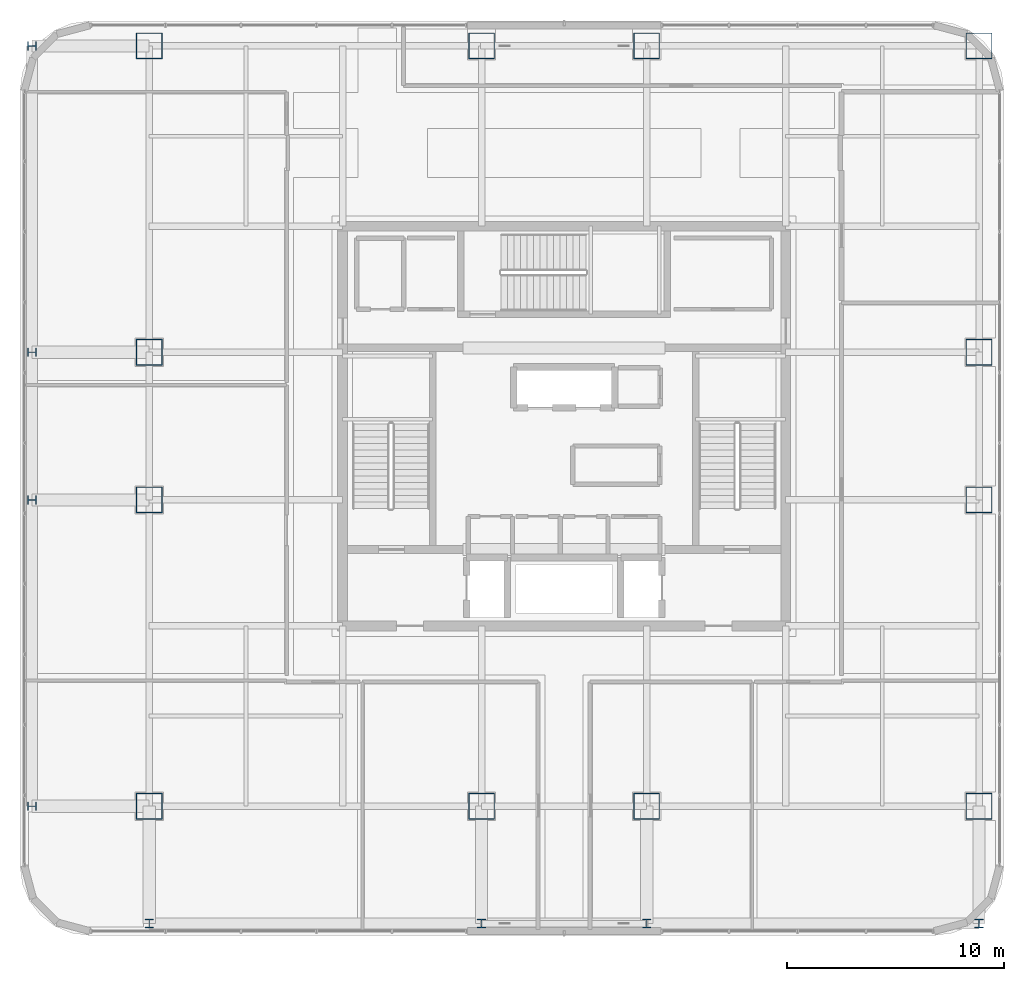
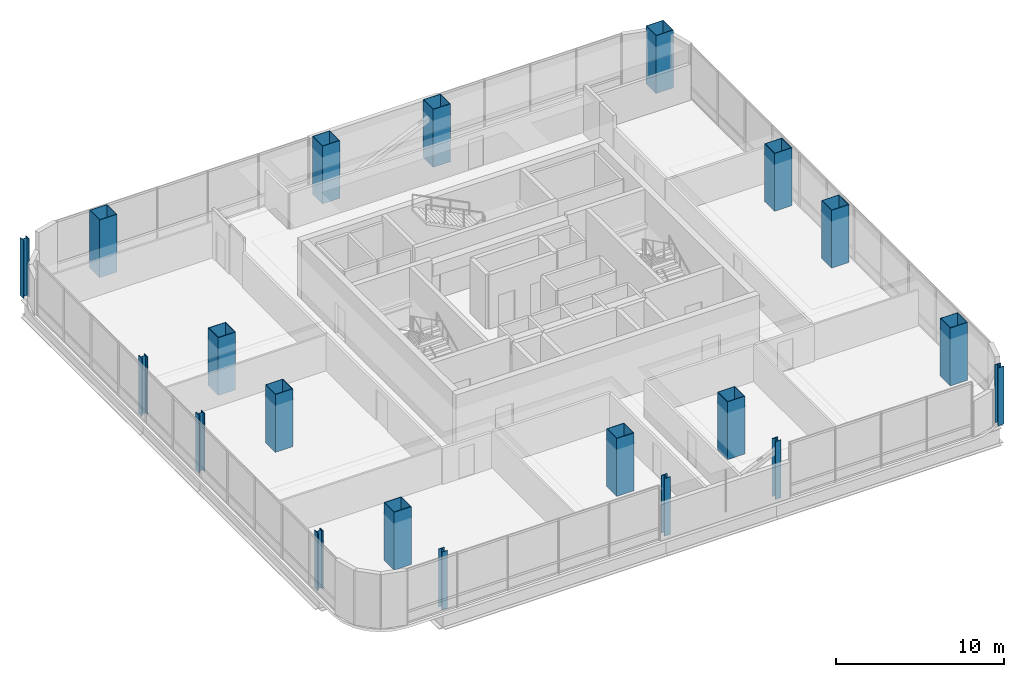
# One storey, part 1 of 46: 20 columns.
"""IFC4 building model written with IfcOpenShell, lengths in metres."""

from ifc_helpers import new_model, si_unit, direction, frame, origin, origin_2d, place, context, subcontext, project, spatial, hollow_rectangle, i_section, extrude, material, material_profile, profile_set, type_object, element, save


model = new_model("IFC4")

# Units and contexts
model_context = context("Model", 3, precision=1e-05, world=origin(), true_north=direction((0.0, 1.0)))
body_context = subcontext(model_context, "Body", "Model", "MODEL_VIEW")
ifc_project = project(units=[si_unit("LENGTHUNIT", "METRE"), si_unit("AREAUNIT", "SQUARE_METRE"), si_unit("VOLUMEUNIT", "CUBIC_METRE"), si_unit("PLANEANGLEUNIT", "RADIAN"), si_unit("MASSUNIT", "GRAM", prefix="KILO")], contexts=[model_context])

# Site, building, storey
site_placement = place(None, origin())
site = spatial("IfcSite", under=ifc_project, at=site_placement, CompositionType="ELEMENT")
building_placement = place(site_placement, origin())
building = spatial("IfcBuilding", under=site, at=building_placement, Name="Punatoya Terracotta Tower", CompositionType="ELEMENT")
storey_placement = place(building_placement, frame((0.0, 0.0, 330.0)))
storey = spatial("IfcBuildingStorey", under=building, at=storey_placement, Name="L78", CompositionType="ELEMENT", Elevation=330.0)

# Columns
ifc_material = material(Name="Steel S460", Category="steel")
ifc_material_profile_1 = material_profile(ifc_material, i_section(OverallWidth=0.406005859375, OverallDepth=0.416015625, WebThickness=0.029052734375, FlangeThickness=0.048095703125, FilletRadius=0.01806640625, at=origin_2d()))
ifc_profile_set_1 = profile_set([ifc_material_profile_1], Name="Steel S460")
column_type_1 = type_object("IfcColumnType", Name="COL-EX-M3", PredefinedType="COLUMN", material=ifc_profile_set_1)
for number, where, z_axis, x_axis, name in (
    (1, (-19.10009765625, -22.89990234375, 0.0), (0.0, 0.0, 1.0), (1.0, 0.0, 0.0), "L78 Exoskeleton Perimeter Column S1"),
    (2, (-3.800048828125, -22.89990234375, 0.0), (0.0, 0.0, 1.0), (1.0, 0.0, 0.0), "L78 Exoskeleton Perimeter Column S2"),
    (3, (3.800048828125, -22.89990234375, 0.0), (0.0, 0.0, 1.0), (1.0, 0.0, 0.0), "L78 Exoskeleton Perimeter Column S3"),
    (4, (19.10009765625, -22.89990234375, 0.0), (0.0, 0.0, 1.0), (1.0, 0.0, 0.0), "L78 Exoskeleton Perimeter Column S4"),
    (5, (-24.5, -17.5, 0.0), (0.0, 0.0, 1.0), (0.0, 1.0, 0.0), "L78 Exoskeleton Perimeter Column W1"),
    (6, (-24.5, -3.39990234375, 0.0), (0.0, 0.0, 1.0), (0.0, 1.0, 0.0), "L78 Exoskeleton Perimeter Column W2"),
    (7, (-24.5, 3.39990234375, 0.0), (0.0, 0.0, 1.0), (0.0, 1.0, 0.0), "L78 Exoskeleton Perimeter Column W3"),
    (8, (-24.5, 17.5, 0.0), (0.0, 0.0, 1.0), (0.0, 1.0, 0.0), "L78 Exoskeleton Perimeter Column W4"),
):
    element("IfcColumn", number, at=place(storey_placement, frame(where, z_axis=z_axis, x_axis=x_axis)), inside=storey, type_object=column_type_1, Name=name, PredefinedType="COLUMN", context=body_context, shape_type="SweptSolid", body=[
        extrude(i_section(OverallWidth=0.406005859375, OverallDepth=0.416015625, WebThickness=0.029052734375, FlangeThickness=0.048095703125, FilletRadius=0.01806640625, at=origin_2d()), origin(), (0.0, 0.0, 1.0), 4.197998046875),
    ])
ifc_material_profile_2 = material_profile(ifc_material, hollow_rectangle(XDim=1.199951171875, YDim=1.199951171875, WallThickness=0.034912109375, at=origin_2d()))
ifc_profile_set_2 = profile_set([ifc_material_profile_2], Name="Steel S460")
column_type_2 = type_object("IfcColumnType", Name="COL-MC-Z4", PredefinedType="COLUMN", material=ifc_profile_set_2)
for number, where, z_axis, x_axis, name in (
    (9, (-19.10009765625, -17.5, 0.0), (0.0, 0.0, 1.0), (1.0, 0.0, 0.0), "L78 Composite Mega-Column MC-01 (3-B)"),
    (10, (-3.800048828125, -17.5, 0.0), (0.0, 0.0, 1.0), (1.0, 0.0, 0.0), "L78 Composite Mega-Column MC-02 (5-B)"),
    (11, (3.800048828125, -17.5, 0.0), (0.0, 0.0, 1.0), (1.0, 0.0, 0.0), "L78 Composite Mega-Column MC-03 (7-B)"),
    (12, (19.10009765625, -17.5, 0.0), (0.0, 0.0, 1.0), (1.0, 0.0, 0.0), "L78 Composite Mega-Column MC-04 (9-B)"),
    (13, (19.10009765625, -3.39990234375, 0.0), (0.0, 0.0, 1.0), (1.0, 0.0, 0.0), "L78 Composite Mega-Column MC-05 (9-D)"),
    (14, (19.10009765625, 3.39990234375, 0.0), (0.0, 0.0, 1.0), (1.0, 0.0, 0.0), "L78 Composite Mega-Column MC-06 (9-E)"),
    (15, (19.10009765625, 17.5, 0.0), (0.0, 0.0, 1.0), (1.0, 0.0, 0.0), "L78 Composite Mega-Column MC-07 (9-G)"),
    (16, (3.800048828125, 17.5, 0.0), (0.0, 0.0, 1.0), (1.0, 0.0, 0.0), "L78 Composite Mega-Column MC-08 (7-G)"),
    (17, (-3.800048828125, 17.5, 0.0), (0.0, 0.0, 1.0), (1.0, 0.0, 0.0), "L78 Composite Mega-Column MC-09 (5-G)"),
    (18, (-19.10009765625, 17.5, 0.0), (0.0, 0.0, 1.0), (1.0, 0.0, 0.0), "L78 Composite Mega-Column MC-10 (3-G)"),
    (19, (-19.10009765625, 3.39990234375, 0.0), (0.0, 0.0, 1.0), (1.0, 0.0, 0.0), "L78 Composite Mega-Column MC-11 (3-E)"),
    (20, (-19.10009765625, -3.39990234375, 0.0), (0.0, 0.0, 1.0), (1.0, 0.0, 0.0), "L78 Composite Mega-Column MC-12 (3-D)"),
):
    element("IfcColumn", number, at=place(storey_placement, frame(where, z_axis=z_axis, x_axis=x_axis)), inside=storey, type_object=column_type_2, Name=name, PredefinedType="COLUMN", context=body_context, shape_type="SweptSolid", body=[
        extrude(hollow_rectangle(XDim=1.199951171875, YDim=1.199951171875, WallThickness=0.034912109375, at=origin_2d()), origin(), (0.0, 0.0, 1.0), 4.199951171875),
    ])

save(model, "model.ifc")
